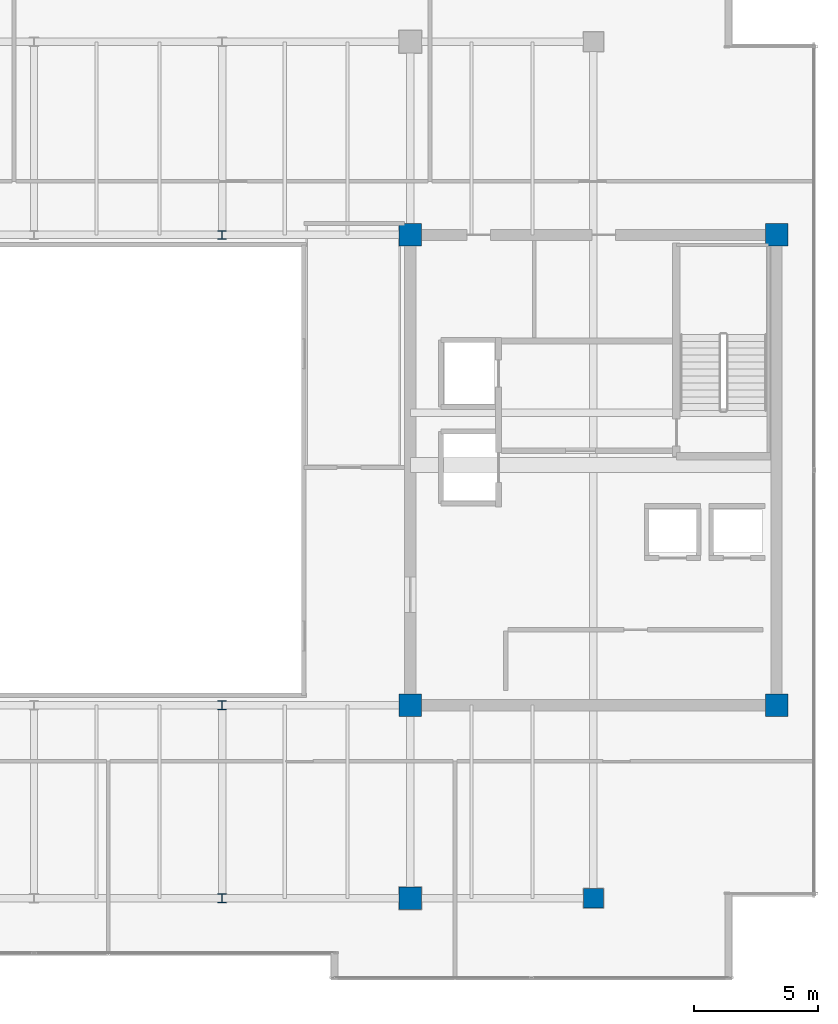
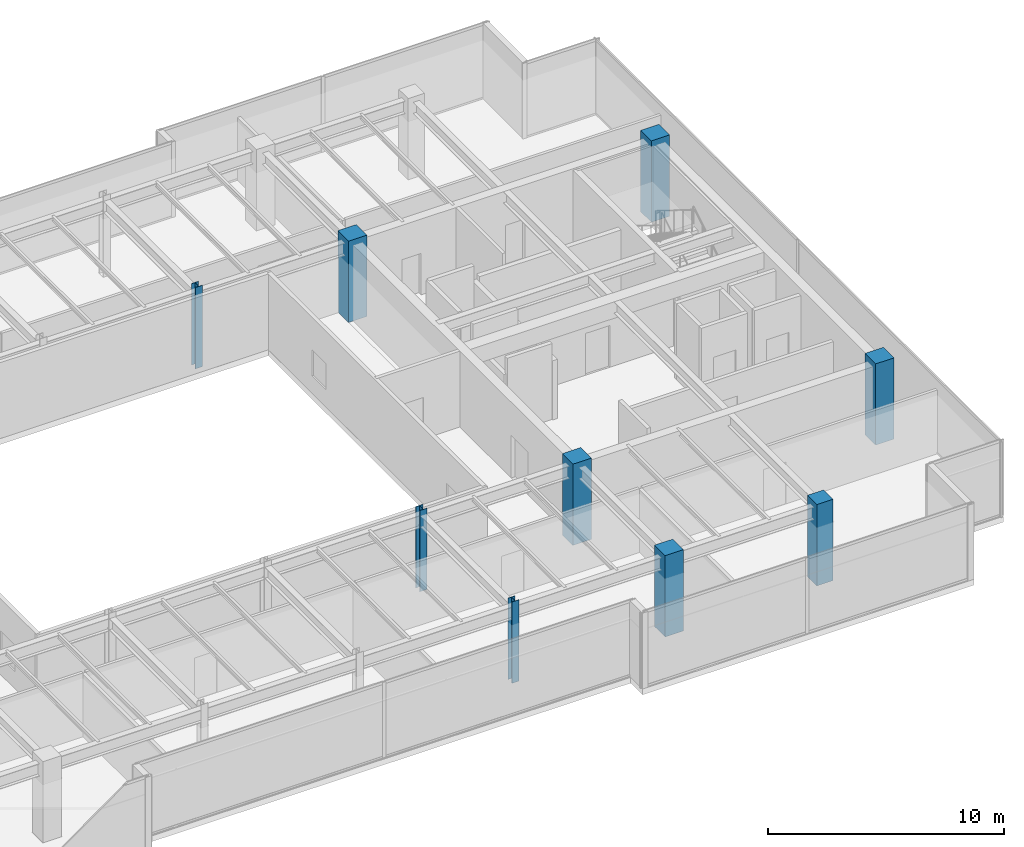
# One storey, part 2 of 34: 9 columns.
"""IFC4 building model written with IfcOpenShell, lengths in metres."""

from ifc_helpers import new_model, si_unit, direction, frame, origin, origin_2d, place, context, subcontext, project, spatial, rectangle, i_section, extrude, source, transform, mapped, material, material_profile, profile_set, type_object, type_shapes, element, save


model = new_model("IFC4")

# Units and contexts
model_context = context("Model", 3, precision=1e-05, world=origin(), true_north=direction((0.0, 1.0)))
body_context = subcontext(model_context, "Body", "Model", "MODEL_VIEW")
ifc_project = project(units=[si_unit("LENGTHUNIT", "METRE"), si_unit("AREAUNIT", "SQUARE_METRE"), si_unit("VOLUMEUNIT", "CUBIC_METRE"), si_unit("PLANEANGLEUNIT", "RADIAN"), si_unit("MASSUNIT", "GRAM", prefix="KILO")], contexts=[model_context])

# Site, building, storey
site_placement = place(None, origin())
site = spatial("IfcSite", under=ifc_project, at=site_placement, CompositionType="ELEMENT")
building_placement = place(site_placement, origin())
building = spatial("IfcBuilding", under=site, at=building_placement, Name="Haelvirn Gate Laboratories", CompositionType="ELEMENT")
storey_placement = place(building_placement, frame((0.0, 0.0, 322.800048828125)))
storey = spatial("IfcBuildingStorey", under=building, at=storey_placement, Name="L77", CompositionType="ELEMENT", Elevation=322.800048828125)

# Columns
ifc_material_1 = material(Name="Concrete C50/60", Category="concrete")
ifc_material_profile_1 = material_profile(ifc_material_1, rectangle(XDim=0.800048828125, YDim=0.800048828125, at=origin_2d()), Name="RC-800x800")
ifc_profile_set_1 = profile_set([ifc_material_profile_1], Name="Concrete C50/60")
column_type_1 = type_object("IfcColumnType", Name="COL-RC-800", PredefinedType="COLUMN", material=ifc_profile_set_1)
shared_shape_1 = source(origin(), body_context, "Body", "SweptSolid", [
    extrude(rectangle(XDim=0.800048828125, YDim=0.800048828125, at=origin_2d()), origin(), (0.0, 0.0, 1.0), 4.199951171875),
])
type_shapes(column_type_1, [shared_shape_1])
column_placement = place(storey_placement, frame((60.0, 7.0, 0.0), z_axis=(0.0, 0.0, 1.0), x_axis=(1.0, 0.0, 0.0)))
element("IfcColumn", 1, at=column_placement, inside=storey, type_object=column_type_1, Name="L77 Column 9B", PredefinedType="COLUMN", context=body_context, shape_type="MappedRepresentation", body=[
    mapped(shared_shape_1, transform((0.0, 0.0, 0.0), scale=1.0)),
])
ifc_material_profile_2 = material_profile(ifc_material_1, rectangle(XDim=0.89990234375, YDim=0.89990234375, at=origin_2d()), Name="RC-900x900")
ifc_profile_set_2 = profile_set([ifc_material_profile_2], Name="Concrete C50/60")
column_type_2 = type_object("IfcColumnType", Name="COL-RC-900", PredefinedType="COLUMN", material=ifc_profile_set_2)
shared_shape_2 = source(origin(), body_context, "Body", "SweptSolid", [
    extrude(rectangle(XDim=0.89990234375, YDim=0.89990234375, at=origin_2d()), origin(), (0.0, 0.0, 1.0), 4.199951171875),
])
type_shapes(column_type_2, [shared_shape_2])
for number, where, z_axis, x_axis, name in (
    (2, (52.60009765625, 7.0, 0.0), (0.0, 0.0, 1.0), (1.0, 0.0, 0.0), "L77 Column 8B"),
    (3, (52.60009765625, 14.800048828125, 0.0), (0.0, 0.0, 1.0), (1.0, 0.0, 0.0), "L77 Column 8C"),
    (4, (67.39990234375, 14.800048828125, 0.0), (0.0, 0.0, 1.0), (1.0, 0.0, 0.0), "L77 Column 10C"),
    (5, (52.60009765625, 33.800048828125, 0.0), (0.0, 0.0, 1.0), (1.0, 0.0, 0.0), "L77 Column 8F"),
    (6, (67.39990234375, 33.800048828125, 0.0), (0.0, 0.0, 1.0), (1.0, 0.0, 0.0), "L77 Column 10F"),
):
    element("IfcColumn", number, at=place(storey_placement, frame(where, z_axis=z_axis, x_axis=x_axis)), inside=storey, type_object=column_type_2, Name=name, PredefinedType="COLUMN", context=body_context, shape_type="MappedRepresentation", body=[
        mapped(shared_shape_2, transform((0.0, 0.0, 0.0), scale=1.0)),
    ])
ifc_material_2 = material(Name="Steel SM355", Category="steel")
ifc_material_profile_3 = material_profile(ifc_material_2, i_section(OverallWidth=0.35009765625, OverallDepth=0.35009765625, WebThickness=0.011962890625, FlangeThickness=0.01904296875, at=origin_2d()), Name="H-350x350x12x19")
ifc_profile_set_3 = profile_set([ifc_material_profile_3], Name="Steel SM355")
column_type_3 = type_object("IfcColumnType", Name="COL-H-350", PredefinedType="COLUMN", material=ifc_profile_set_3)
shared_shape_3 = source(origin(), body_context, "Body", "SweptSolid", [
    extrude(i_section(OverallWidth=0.35009765625, OverallDepth=0.35009765625, WebThickness=0.011962890625, FlangeThickness=0.01904296875, at=origin_2d()), origin(), (0.0, 0.0, 1.0), 4.199951171875),
])
type_shapes(column_type_3, [shared_shape_3])
for number, where, z_axis, x_axis, name in (
    (7, (45.0, 7.0, 0.0), (0.0, 0.0, 1.0), (1.0, 0.0, 0.0), "L77 Column 7B"),
    (8, (45.0, 14.800048828125, 0.0), (0.0, 0.0, 1.0), (1.0, 0.0, 0.0), "L77 Column 7C"),
    (9, (45.0, 33.800048828125, 0.0), (0.0, 0.0, 1.0), (1.0, 0.0, 0.0), "L77 Column 7F"),
):
    element("IfcColumn", number, at=place(storey_placement, frame(where, z_axis=z_axis, x_axis=x_axis)), inside=storey, type_object=column_type_3, Name=name, PredefinedType="COLUMN", context=body_context, shape_type="MappedRepresentation", body=[
        mapped(shared_shape_3, transform((0.0, 0.0, 0.0), scale=1.0)),
    ])

save(model, "model.ifc")
